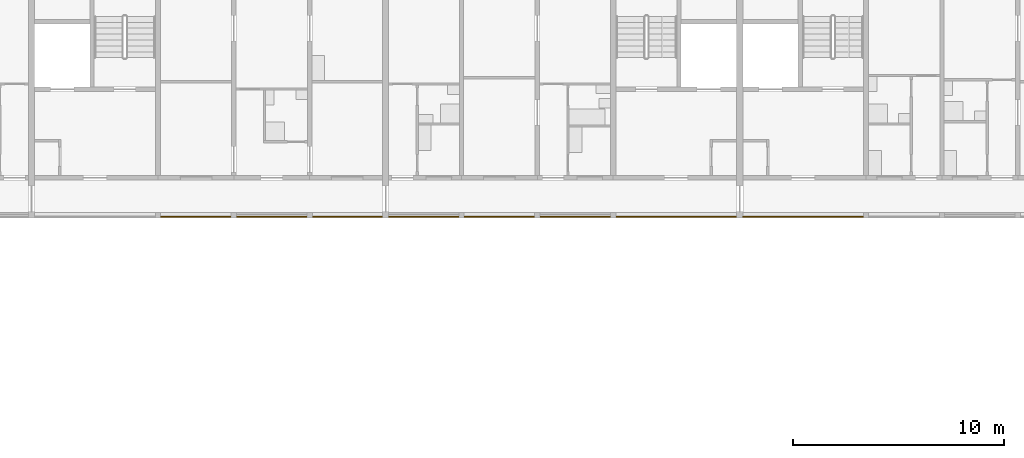
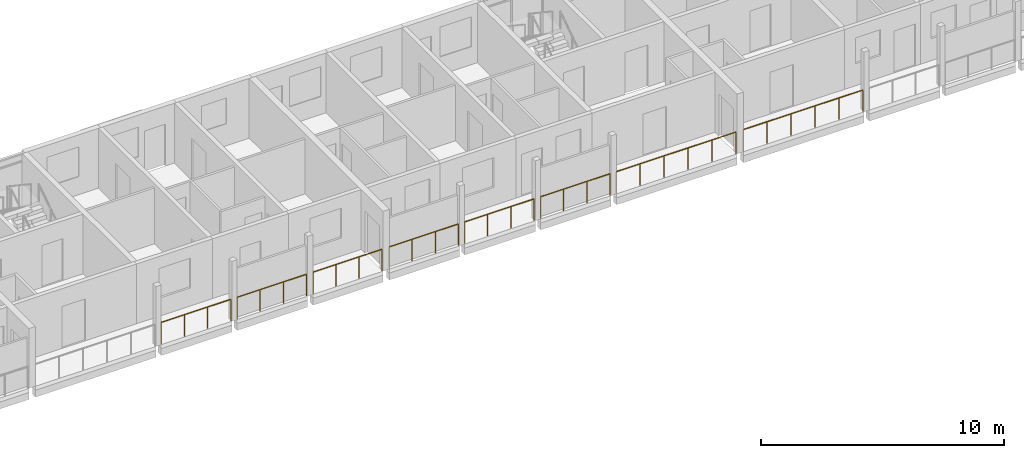
# One storey, part 88 of 93: 8 railings.
"""IFC4 building model written with IfcOpenShell, lengths in metres."""

from ifc_helpers import new_model, si_unit, direction, frame, origin, origin_2d, place, context, subcontext, project, spatial, circle, extrude, material, type_object, element, save


model = new_model("IFC4")

# Units and contexts
model_context = context("Model", 3, precision=1e-05, world=origin(), true_north=direction((0.0, 1.0)))
body_context = subcontext(model_context, "Body", "Model", "MODEL_VIEW")
ifc_project = project(units=[si_unit("LENGTHUNIT", "METRE"), si_unit("AREAUNIT", "SQUARE_METRE"), si_unit("VOLUMEUNIT", "CUBIC_METRE"), si_unit("PLANEANGLEUNIT", "RADIAN"), si_unit("MASSUNIT", "GRAM", prefix="KILO")], contexts=[model_context])

# Site, building, storey
site_placement = place(None, origin())
site = spatial("IfcSite", under=ifc_project, at=site_placement, CompositionType="ELEMENT")
building_placement = place(site_placement, origin())
building = spatial("IfcBuilding", under=site, at=building_placement, Name="Ridgestep Commons", CompositionType="ELEMENT")
storey_placement = place(building_placement, frame((0.0, 0.0, 18.0)))
storey = spatial("IfcBuildingStorey", under=building, at=storey_placement, Name="L06", CompositionType="ELEMENT", Elevation=18.0)

# Railings
ifc_material = material(Name="Structural steel S355JR", Category="steel")
railing_type = type_object("IfcRailingType", Name="Guard 1100", PredefinedType="GUARDRAIL", material=ifc_material)
railing_1_placement = place(storey_placement, frame((203.345947265625, 66.050048828125, 0.0)))
element("IfcRailing", 1, at=railing_1_placement, inside=storey, type_object=railing_type, Name="Gallery guard C 06.14", PredefinedType="GUARDRAIL", context=body_context, shape_type="SweptSolid", body=[
    extrude(circle(Radius=0.02392578125, at=origin_2d()), frame((0.0, 0.0, 1.076171875), z_axis=(1.0, 0.0, 0.0), x_axis=(0.0, 1.0, 0.0)), (0.0, 0.0, 1.0), 3.30810546875),
    extrude(circle(Radius=0.02099609375, at=origin_2d()), origin(), (0.0, 0.0, 1.0), 1.052001953125),
    extrude(circle(Radius=0.02099609375, at=origin_2d()), frame((1.102783203125, 0.0, 0.0)), (0.0, 0.0, 1.0), 1.052001953125),
    extrude(circle(Radius=0.02099609375, at=origin_2d()), frame((2.205322265625, 0.0, 0.0)), (0.0, 0.0, 1.0), 1.052001953125),
    extrude(circle(Radius=0.02099609375, at=origin_2d()), frame((3.30810546875, 0.0, 0.0)), (0.0, 0.0, 1.0), 1.052001953125),
])
railing_2_placement = place(storey_placement, frame((206.946044921875, 66.050048828125, 0.0)))
element("IfcRailing", 2, at=railing_2_placement, inside=storey, type_object=railing_type, Name="Gallery guard C 06.15", PredefinedType="GUARDRAIL", context=body_context, shape_type="SweptSolid", body=[
    extrude(circle(Radius=0.02392578125, at=origin_2d()), frame((0.0, 0.0, 1.076171875), z_axis=(1.0, 0.0, 0.0), x_axis=(0.0, 1.0, 0.0)), (0.0, 0.0, 1.0), 3.307861328125),
    extrude(circle(Radius=0.02099609375, at=origin_2d()), origin(), (0.0, 0.0, 1.0), 1.052001953125),
    extrude(circle(Radius=0.02099609375, at=origin_2d()), frame((1.1025390625, 0.0, 0.0)), (0.0, 0.0, 1.0), 1.052001953125),
    extrude(circle(Radius=0.02099609375, at=origin_2d()), frame((2.205322265625, 0.0, 0.0)), (0.0, 0.0, 1.0), 1.052001953125),
    extrude(circle(Radius=0.02099609375, at=origin_2d()), frame((3.307861328125, 0.0, 0.0)), (0.0, 0.0, 1.0), 1.052001953125),
])
for number, where, name in (
    (3, (210.5458984375, 66.050048828125, 0.0), "Gallery guard C 06.16"),
    (4, (214.1708984375, 66.050048828125, 0.0), "Gallery guard C 06.17"),
):
    element("IfcRailing", number, at=place(storey_placement, frame(where)), inside=storey, type_object=railing_type, Name=name, PredefinedType="GUARDRAIL", context=body_context, shape_type="SweptSolid", body=[
        extrude(circle(Radius=0.02392578125, at=origin_2d()), frame((0.0, 0.0, 1.076171875), z_axis=(1.0, 0.0, 0.0), x_axis=(0.0, 1.0, 0.0)), (0.0, 0.0, 1.0), 3.283203125),
        extrude(circle(Radius=0.02099609375, at=origin_2d()), origin(), (0.0, 0.0, 1.0), 1.052001953125),
        extrude(circle(Radius=0.02099609375, at=origin_2d()), frame((1.094482421875, 0.0, 0.0)), (0.0, 0.0, 1.0), 1.052001953125),
        extrude(circle(Radius=0.02099609375, at=origin_2d()), frame((2.188720703125, 0.0, 0.0)), (0.0, 0.0, 1.0), 1.052001953125),
        extrude(circle(Radius=0.02099609375, at=origin_2d()), frame((3.283203125, 0.0, 0.0)), (0.0, 0.0, 1.0), 1.052001953125),
    ])
railing_3_placement = place(storey_placement, frame((217.74609375, 66.050048828125, 0.0)))
element("IfcRailing", 5, at=railing_3_placement, inside=storey, type_object=railing_type, Name="Gallery guard C 06.18", PredefinedType="GUARDRAIL", context=body_context, shape_type="SweptSolid", body=[
    extrude(circle(Radius=0.02392578125, at=origin_2d()), frame((0.0, 0.0, 1.076171875), z_axis=(1.0, 0.0, 0.0), x_axis=(0.0, 1.0, 0.0)), (0.0, 0.0, 1.0), 3.307861328125),
    extrude(circle(Radius=0.02099609375, at=origin_2d()), origin(), (0.0, 0.0, 1.0), 1.052001953125),
    extrude(circle(Radius=0.02099609375, at=origin_2d()), frame((1.1025390625, 0.0, 0.0)), (0.0, 0.0, 1.0), 1.052001953125),
    extrude(circle(Radius=0.02099609375, at=origin_2d()), frame((2.205322265625, 0.0, 0.0)), (0.0, 0.0, 1.0), 1.052001953125),
    extrude(circle(Radius=0.02099609375, at=origin_2d()), frame((3.307861328125, 0.0, 0.0)), (0.0, 0.0, 1.0), 1.052001953125),
])
railing_4_placement = place(storey_placement, frame((221.345947265625, 66.050048828125, 0.0)))
element("IfcRailing", 6, at=railing_4_placement, inside=storey, type_object=railing_type, Name="Gallery guard C 06.19", PredefinedType="GUARDRAIL", context=body_context, shape_type="SweptSolid", body=[
    extrude(circle(Radius=0.02392578125, at=origin_2d()), frame((0.0, 0.0, 1.076171875), z_axis=(1.0, 0.0, 0.0), x_axis=(0.0, 1.0, 0.0)), (0.0, 0.0, 1.0), 3.30810546875),
    extrude(circle(Radius=0.02099609375, at=origin_2d()), origin(), (0.0, 0.0, 1.0), 1.052001953125),
    extrude(circle(Radius=0.02099609375, at=origin_2d()), frame((1.102783203125, 0.0, 0.0)), (0.0, 0.0, 1.0), 1.052001953125),
    extrude(circle(Radius=0.02099609375, at=origin_2d()), frame((2.205322265625, 0.0, 0.0)), (0.0, 0.0, 1.0), 1.052001953125),
    extrude(circle(Radius=0.02099609375, at=origin_2d()), frame((3.30810546875, 0.0, 0.0)), (0.0, 0.0, 1.0), 1.052001953125),
])
railing_5_placement = place(storey_placement, frame((224.946044921875, 66.050048828125, 0.0)))
element("IfcRailing", 7, at=railing_5_placement, inside=storey, type_object=railing_type, Name="Gallery guard C 06.20", PredefinedType="GUARDRAIL", context=body_context, shape_type="SweptSolid", body=[
    extrude(circle(Radius=0.02392578125, at=origin_2d()), frame((0.0, 0.0, 1.076171875), z_axis=(1.0, 0.0, 0.0), x_axis=(0.0, 1.0, 0.0)), (0.0, 0.0, 1.0), 5.682861328125),
    extrude(circle(Radius=0.02099609375, at=origin_2d()), origin(), (0.0, 0.0, 1.0), 1.052001953125),
    extrude(circle(Radius=0.02099609375, at=origin_2d()), frame((1.136474609375, 0.0, 0.0)), (0.0, 0.0, 1.0), 1.052001953125),
    extrude(circle(Radius=0.02099609375, at=origin_2d()), frame((2.273193359375, 0.0, 0.0)), (0.0, 0.0, 1.0), 1.052001953125),
    extrude(circle(Radius=0.02099609375, at=origin_2d()), frame((3.40966796875, 0.0, 0.0)), (0.0, 0.0, 1.0), 1.052001953125),
    extrude(circle(Radius=0.02099609375, at=origin_2d()), frame((4.54638671875, 0.0, 0.0)), (0.0, 0.0, 1.0), 1.052001953125),
    extrude(circle(Radius=0.02099609375, at=origin_2d()), frame((5.682861328125, 0.0, 0.0)), (0.0, 0.0, 1.0), 1.052001953125),
])
railing_6_placement = place(storey_placement, frame((230.970947265625, 66.050048828125, 0.0)))
element("IfcRailing", 8, at=railing_6_placement, inside=storey, type_object=railing_type, Name="Gallery guard C 06.21", PredefinedType="GUARDRAIL", context=body_context, shape_type="SweptSolid", body=[
    extrude(circle(Radius=0.02392578125, at=origin_2d()), frame((0.0, 0.0, 1.076171875), z_axis=(1.0, 0.0, 0.0), x_axis=(0.0, 1.0, 0.0)), (0.0, 0.0, 1.0), 5.68310546875),
    extrude(circle(Radius=0.02099609375, at=origin_2d()), origin(), (0.0, 0.0, 1.0), 1.052001953125),
    extrude(circle(Radius=0.02099609375, at=origin_2d()), frame((1.13671875, 0.0, 0.0)), (0.0, 0.0, 1.0), 1.052001953125),
    extrude(circle(Radius=0.02099609375, at=origin_2d()), frame((2.273193359375, 0.0, 0.0)), (0.0, 0.0, 1.0), 1.052001953125),
    extrude(circle(Radius=0.02099609375, at=origin_2d()), frame((3.409912109375, 0.0, 0.0)), (0.0, 0.0, 1.0), 1.052001953125),
    extrude(circle(Radius=0.02099609375, at=origin_2d()), frame((4.54638671875, 0.0, 0.0)), (0.0, 0.0, 1.0), 1.052001953125),
    extrude(circle(Radius=0.02099609375, at=origin_2d()), frame((5.68310546875, 0.0, 0.0)), (0.0, 0.0, 1.0), 1.052001953125),
])

save(model, "model.ifc")
